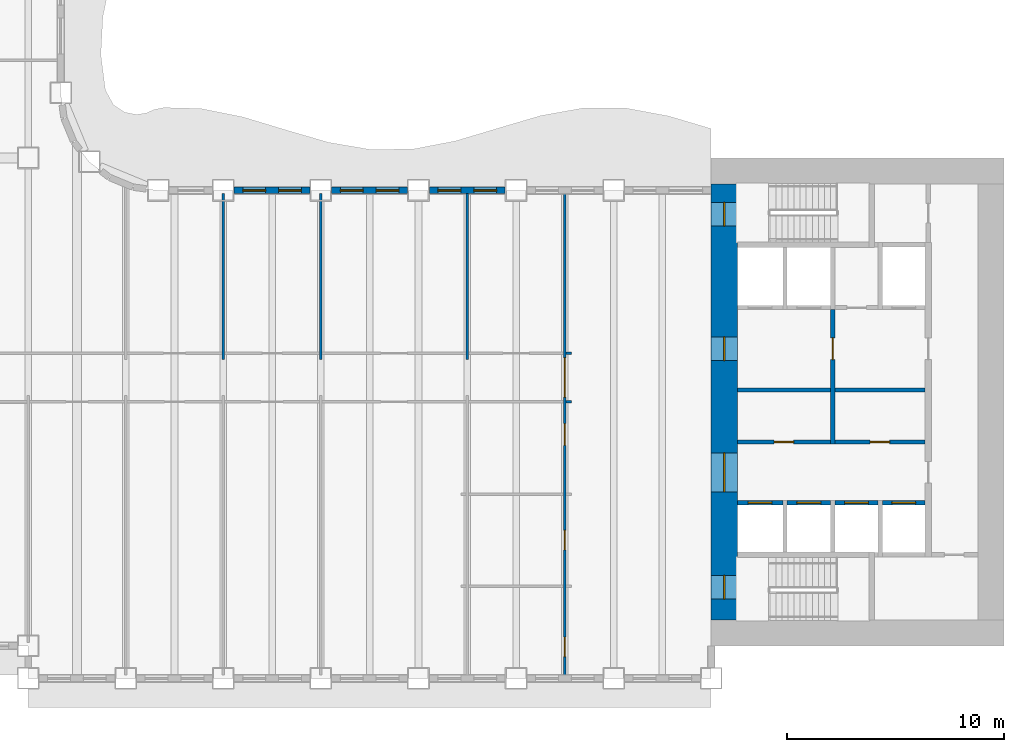
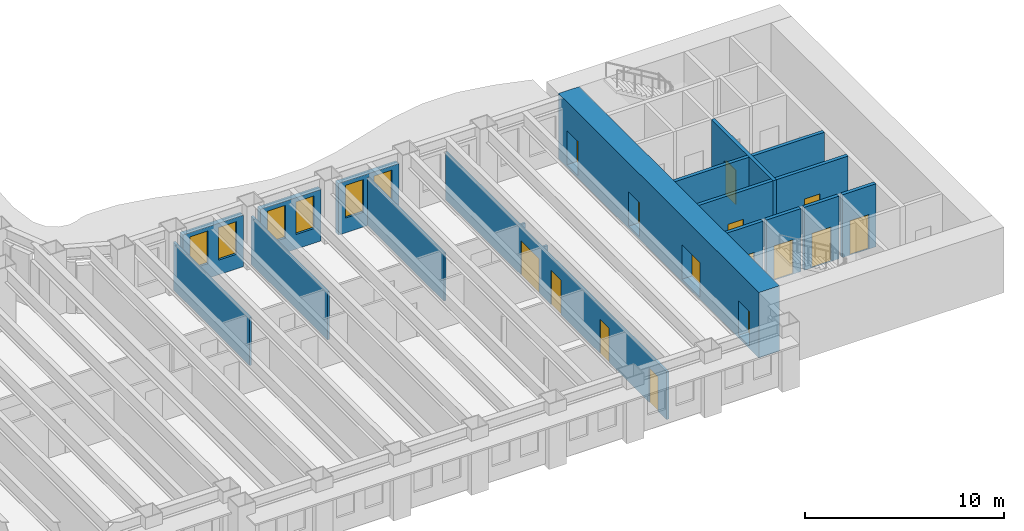
# One storey, part 6 of 16: 19 walls, 15 doors, 6 windows, 21 openings.
"""IFC4 building model written with IfcOpenShell, lengths in metres."""

from ifc_helpers import new_model, si_unit, direction, frame, frame_2d, origin, place, context, subcontext, project, spatial, rectangle, extrude, material, layer, layer_set, type_object, element, fill, save


model = new_model("IFC4")

# Units and contexts
model_context = context("Model", 3, precision=1e-05, world=origin(), true_north=direction((0.0, 1.0)))
body_context = subcontext(model_context, "Body", "Model", "MODEL_VIEW")
ifc_project = project(units=[si_unit("LENGTHUNIT", "METRE"), si_unit("AREAUNIT", "SQUARE_METRE"), si_unit("VOLUMEUNIT", "CUBIC_METRE"), si_unit("PLANEANGLEUNIT", "RADIAN"), si_unit("MASSUNIT", "GRAM", prefix="KILO")], contexts=[model_context])

# Site, building, storey
site_placement = place(None, origin())
site = spatial("IfcSite", under=ifc_project, at=site_placement, CompositionType="ELEMENT")
building_placement = place(site_placement, origin())
building = spatial("IfcBuilding", under=site, at=building_placement, Name="Sennacour Bend Tower", CompositionType="ELEMENT")
storey_placement = place(building_placement, frame((0.0, 0.0, 91.0)))
storey = spatial("IfcBuildingStorey", under=building, at=storey_placement, Name="L20", CompositionType="ELEMENT", Elevation=91.0)

# Wall, openings, doors
ifc_material_1 = material(Name="Concrete C80/95", Category="concrete")
ifc_layer_1 = layer(ifc_material_1, 1.199951171875, Name="Concrete C80/95", Category="concrete")
ifc_layer_set_1 = layer_set([ifc_layer_1], Name="Concrete C80/95")
wall_type_1 = type_object("IfcWallType", Name="Core wall 1200 C80/95", PredefinedType="SHEAR", material=ifc_layer_set_1)
wall_1_placement = place(storey_placement, frame((54.60009765625, 1.199951171875, -0.14990234375), z_axis=(0.0, 0.0, 1.0), x_axis=(0.0, 1.0, 0.0)))
wall_1 = element("IfcWall", 1, at=wall_1_placement, inside=storey, type_object=wall_type_1, Name="Core A wall L20 W", PredefinedType="SHEAR", context=body_context, shape_type="SweptSolid", body=[
    extrude(rectangle(XDim=20.10009765625, YDim=1.199951171875, at=frame_2d((10.050048828125, 0.0))), origin(), (0.0, 0.0, 1.0), 4.0),
])
opening_1_placement = place(wall_1_placement, frame((5.89990234375, 0.0, 0.14990234375)))
opening_1 = element("IfcOpeningElement", 2, at=opening_1_placement, cuts=wall_1, Name="Opening CD", PredefinedType="OPENING", context=body_context, shape_type="SweptSolid", body=[
    extrude(rectangle(XDim=1.800048828125, YDim=2.10009765625, at=frame_2d((0.89990234375, 1.050048828125))), frame((0.0, 0.60986328125, 0.0), z_axis=(0.0, -1.0, 0.0), x_axis=(1.0, 0.0, 0.0)), (0.0, 0.0, 1.0), 1.219970703125),
])
opening_2_placement = place(wall_1_placement, frame((11.949951171875, 0.0, 0.14990234375)))
opening_2 = element("IfcOpeningElement", 3, at=opening_2_placement, cuts=wall_1, Name="Opening FD", PredefinedType="OPENING", context=body_context, shape_type="SweptSolid", body=[
    extrude(rectangle(XDim=1.10009765625, YDim=2.10009765625, at=frame_2d((0.550048828125, 1.050048828125))), frame((0.0, 0.60986328125, 0.0), z_axis=(0.0, -1.0, 0.0), x_axis=(1.0, 0.0, 0.0)), (0.0, 0.0, 1.0), 1.219970703125),
])
opening_3_placement = place(wall_1_placement, frame((0.949951171875, 0.0, 0.14990234375)))
opening_3 = element("IfcOpeningElement", 4, at=opening_3_placement, cuts=wall_1, Name="Opening SD", PredefinedType="OPENING", context=body_context, shape_type="SweptSolid", body=[
    extrude(rectangle(XDim=1.10009765625, YDim=2.10009765625, at=frame_2d((0.550048828125, 1.050048828125))), frame((0.0, 0.60986328125, 0.0), z_axis=(0.0, -1.0, 0.0), x_axis=(1.0, 0.0, 0.0)), (0.0, 0.0, 1.0), 1.219970703125),
])
opening_4_placement = place(wall_1_placement, frame((18.14990234375, 0.0, 0.14990234375)))
opening_4 = element("IfcOpeningElement", 5, at=opening_4_placement, cuts=wall_1, Name="Opening SD", PredefinedType="OPENING", context=body_context, shape_type="SweptSolid", body=[
    extrude(rectangle(XDim=1.10009765625, YDim=2.10009765625, at=frame_2d((0.550048828125, 1.050048828125))), frame((0.0, 0.60986328125, 0.0), z_axis=(0.0, -1.0, 0.0), x_axis=(1.0, 0.0, 0.0)), (0.0, 0.0, 1.0), 1.219970703125),
])
ifc_material_2 = material(Name="Painted steel", Category="steel")
door_type_1 = type_object("IfcDoorType", Name="DR-FFL-1100", OperationType="NOTDEFINED", PredefinedType="DOOR", material=ifc_material_2)
door_1_placement = place(opening_2_placement, origin())
door_1 = element("IfcDoor", 6, at=door_1_placement, inside=storey, type_object=door_type_1, Name="Door", OperationType="SINGLE_SWING_RIGHT", OverallHeight=2.10009765625, OverallWidth=1.10009765625, PredefinedType="DOOR", context=body_context, shape_type="SweptSolid", body=[
    extrude(rectangle(XDim=1.10009765625, YDim=2.10009765625, at=frame_2d((0.550048828125, 1.050048828125))), frame((0.0, 0.02490234375, 0.0), z_axis=(0.0, -1.0, 0.0), x_axis=(1.0, 0.0, 0.0)), (0.0, 0.0, 1.0), 0.050048828125),
])
fill(opening_2, door_1)
door_type_2 = type_object("IfcDoorType", Name="DR-LOBBY-1800", OperationType="NOTDEFINED", PredefinedType="DOOR", material=ifc_material_2)
door_2_placement = place(opening_1_placement, origin())
door_2 = element("IfcDoor", 7, at=door_2_placement, inside=storey, type_object=door_type_2, Name="Door", OperationType="DOUBLE_DOOR_SINGLE_SWING", OverallHeight=2.10009765625, OverallWidth=1.800048828125, PredefinedType="DOOR", context=body_context, shape_type="SweptSolid", body=[
    extrude(rectangle(XDim=1.800048828125, YDim=2.10009765625, at=frame_2d((0.89990234375, 1.050048828125))), frame((0.0, 0.02490234375, 0.0), z_axis=(0.0, -1.0, 0.0), x_axis=(1.0, 0.0, 0.0)), (0.0, 0.0, 1.0), 0.050048828125),
])
fill(opening_1, door_2)
door_type_3 = type_object("IfcDoorType", Name="DR-STAIR-1100", OperationType="NOTDEFINED", PredefinedType="DOOR", material=ifc_material_2)
door_3_placement = place(opening_3_placement, origin())
door_3 = element("IfcDoor", 8, at=door_3_placement, inside=storey, type_object=door_type_3, Name="Door", OperationType="SINGLE_SWING_LEFT", OverallHeight=2.10009765625, OverallWidth=1.10009765625, PredefinedType="DOOR", context=body_context, shape_type="SweptSolid", body=[
    extrude(rectangle(XDim=1.10009765625, YDim=2.10009765625, at=frame_2d((0.550048828125, 1.050048828125))), frame((0.0, 0.02490234375, 0.0), z_axis=(0.0, -1.0, 0.0), x_axis=(1.0, 0.0, 0.0)), (0.0, 0.0, 1.0), 0.050048828125),
])
fill(opening_3, door_3)
door_4_placement = place(opening_4_placement, origin())
door_4 = element("IfcDoor", 9, at=door_4_placement, inside=storey, type_object=door_type_3, Name="Door", OperationType="SINGLE_SWING_RIGHT", OverallHeight=2.10009765625, OverallWidth=1.10009765625, PredefinedType="DOOR", context=body_context, shape_type="SweptSolid", body=[
    extrude(rectangle(XDim=1.10009765625, YDim=2.10009765625, at=frame_2d((0.550048828125, 1.050048828125))), frame((0.0, 0.02490234375, 0.0), z_axis=(0.0, -1.0, 0.0), x_axis=(1.0, 0.0, 0.0)), (0.0, 0.0, 1.0), 0.050048828125),
])
fill(opening_4, door_4)

# Walls
ifc_material_3 = material(Name="Plasterboard partition on steel studs", Category="steel")
ifc_layer_2 = layer(ifc_material_3, 0.1201171875, Name="Plasterboard partition on steel studs", Category="steel")
ifc_layer_set_2 = layer_set([ifc_layer_2], Name="Plasterboard partition on steel studs")
wall_type_2 = type_object("IfcWallType", Name="Partition 120", PredefinedType="PARTITIONING", material=ifc_layer_set_2)
for number, where, z_axis, x_axis, name in (
    (10, (31.5, 13.199951171875, 0.0), (0.0, 0.0, 1.0), (0.0, 1.0, 0.0), "P-L20-W029a"),
    (11, (36.0, 13.199951171875, 0.0), (0.0, 0.0, 1.0), (0.0, 1.0, 0.0), "P-L20-W031a"),
    (12, (42.75, 13.199951171875, 0.0), (0.0, 0.0, 1.0), (0.0, 1.0, 0.0), "P-L20-W033a"),
):
    element("IfcWall", number, at=place(storey_placement, frame(where, z_axis=z_axis, x_axis=x_axis)), inside=storey, type_object=wall_type_2, Name=name, PredefinedType="PARTITIONING", context=body_context, shape_type="SweptSolid", body=[
        extrude(rectangle(XDim=7.650146484375, YDim=0.1201171875, at=frame_2d((3.8251953125, 0.0))), origin(), (0.0, 0.0, 1.0), 2.93798828125),
    ])
for number, where, z_axis, x_axis, name in (
    (13, (47.31005859375, 11.25, 0.0), (0.0, 0.0, 1.0), (1.0, 0.0, 0.0), "P-L20-W058ai"),
    (14, (47.31005859375, 13.5, 0.0), (0.0, 0.0, 1.0), (1.0, 0.0, 0.0), "P-L20-W060ah"),
):
    element("IfcWall", number, at=place(storey_placement, frame(where, z_axis=z_axis, x_axis=x_axis)), inside=storey, type_object=wall_type_2, Name=name, PredefinedType="PARTITIONING", context=body_context, shape_type="SweptSolid", body=[
        extrude(rectangle(XDim=0.239990234375, YDim=0.1201171875, at=frame_2d((0.1201171875, 0.0))), origin(), (0.0, 0.0, 1.0), 2.93798828125),
    ])

# Wall, openings, doors
ifc_layer_3 = layer(ifc_material_3, 0.1201171875, Name="Plasterboard partition on steel studs", Category="steel")
ifc_layer_set_3 = layer_set([ifc_layer_3], Name="Plasterboard partition on steel studs")
wall_type_3 = type_object("IfcWallType", Name="Partition 120 EI 30", PredefinedType="PARTITIONING", material=ifc_layer_set_3)
wall_2_placement = place(storey_placement, frame((47.25, -1.35009765625, 0.0), z_axis=(0.0, 0.0, 1.0), x_axis=(0.0, 1.0, 0.0)))
wall_2 = element("IfcWall", 15, at=wall_2_placement, inside=storey, type_object=wall_type_3, Name="P-L20-W034a", PredefinedType="PARTITIONING", context=body_context, shape_type="SweptSolid", body=[
    extrude(rectangle(XDim=22.2001953125, YDim=0.1201171875, at=frame_2d((11.10009765625, 0.0))), origin(), (0.0, 0.0, 1.0), 2.93798828125),
])
opening_5_placement = place(wall_2_placement, frame((12.8251953125, 0.0, 0.0)))
opening_5 = element("IfcOpeningElement", 16, at=opening_5_placement, cuts=wall_2, Name="Opening KD3", PredefinedType="OPENING", context=body_context, shape_type="SweptSolid", body=[
    extrude(rectangle(XDim=1.800048828125, YDim=2.10009765625, at=frame_2d((0.89990234375, 1.050048828125))), frame((0.0, 0.070068359375, 0.0), z_axis=(0.0, -1.0, 0.0), x_axis=(1.0, 0.0, 0.0)), (0.0, 0.0, 1.0), 0.14013671875),
])
opening_6_placement = place(wall_2_placement, frame((0.85009765625, 0.0, 0.0)))
opening_6 = element("IfcOpeningElement", 17, at=opening_6_placement, cuts=wall_2, Name="Opening WD", PredefinedType="OPENING", context=body_context, shape_type="SweptSolid", body=[
    extrude(rectangle(XDim=0.89990234375, YDim=2.10009765625, at=frame_2d((0.449951171875, 1.050048828125))), frame((0.0, 0.070068359375, 0.0), z_axis=(0.0, -1.0, 0.0), x_axis=(1.0, 0.0, 0.0)), (0.0, 0.0, 1.0), 0.14013671875),
])
opening_7_placement = place(wall_2_placement, frame((5.775146484375, 0.0, 0.0)))
opening_7 = element("IfcOpeningElement", 18, at=opening_7_placement, cuts=wall_2, Name="Opening WD", PredefinedType="OPENING", context=body_context, shape_type="SweptSolid", body=[
    extrude(rectangle(XDim=0.89990234375, YDim=2.10009765625, at=frame_2d((0.449951171875, 1.050048828125))), frame((0.0, 0.070068359375, 0.0), z_axis=(0.0, -1.0, 0.0), x_axis=(1.0, 0.0, 0.0)), (0.0, 0.0, 1.0), 0.14013671875),
])
opening_8_placement = place(wall_2_placement, frame((10.60009765625, 0.0, 0.0)))
opening_8 = element("IfcOpeningElement", 19, at=opening_8_placement, cuts=wall_2, Name="Opening AD", PredefinedType="OPENING", context=body_context, shape_type="SweptSolid", body=[
    extrude(rectangle(XDim=1.0, YDim=2.10009765625, at=frame_2d((0.5, 1.050048828125))), frame((0.0, 0.070068359375, 0.0), z_axis=(0.0, -1.0, 0.0), x_axis=(1.0, 0.0, 0.0)), (0.0, 0.0, 1.0), 0.14013671875),
])
ifc_material_4 = material(Name="Timber", Category="wood")
door_type_4 = type_object("IfcDoorType", Name="DR-ACC-WC-1000", OperationType="NOTDEFINED", PredefinedType="DOOR", material=ifc_material_4)
door_5_placement = place(opening_8_placement, origin())
door_5 = element("IfcDoor", 20, at=door_5_placement, inside=storey, type_object=door_type_4, Name="Door", OperationType="SINGLE_SWING_RIGHT", OverallHeight=2.10009765625, OverallWidth=1.0, PredefinedType="DOOR", context=body_context, shape_type="SweptSolid", body=[
    extrude(rectangle(XDim=1.0, YDim=2.10009765625, at=frame_2d((0.5, 1.050048828125))), frame((0.0, 0.02490234375, 0.0), z_axis=(0.0, -1.0, 0.0), x_axis=(1.0, 0.0, 0.0)), (0.0, 0.0, 1.0), 0.050048828125),
])
fill(opening_8, door_5)
door_type_5 = type_object("IfcDoorType", Name="DR-CORRIDOR-1800", OperationType="NOTDEFINED", PredefinedType="DOOR", material=ifc_material_2)
door_6_placement = place(opening_5_placement, origin())
door_6 = element("IfcDoor", 21, at=door_6_placement, inside=storey, type_object=door_type_5, Name="Door", OperationType="DOUBLE_DOOR_SINGLE_SWING", OverallHeight=2.10009765625, OverallWidth=1.800048828125, PredefinedType="DOOR", context=body_context, shape_type="SweptSolid", body=[
    extrude(rectangle(XDim=1.800048828125, YDim=2.10009765625, at=frame_2d((0.89990234375, 1.050048828125))), frame((0.0, 0.02490234375, 0.0), z_axis=(0.0, -1.0, 0.0), x_axis=(1.0, 0.0, 0.0)), (0.0, 0.0, 1.0), 0.050048828125),
])
fill(opening_5, door_6)
door_type_6 = type_object("IfcDoorType", Name="DR-WC-900", OperationType="NOTDEFINED", PredefinedType="DOOR", material=ifc_material_4)
door_7_placement = place(opening_6_placement, origin())
door_7 = element("IfcDoor", 22, at=door_7_placement, inside=storey, type_object=door_type_6, Name="Door", OperationType="SINGLE_SWING_LEFT", OverallHeight=2.10009765625, OverallWidth=0.89990234375, PredefinedType="DOOR", context=body_context, shape_type="SweptSolid", body=[
    extrude(rectangle(XDim=0.89990234375, YDim=2.10009765625, at=frame_2d((0.449951171875, 1.050048828125))), frame((0.0, 0.02490234375, 0.0), z_axis=(0.0, -1.0, 0.0), x_axis=(1.0, 0.0, 0.0)), (0.0, 0.0, 1.0), 0.050048828125),
])
fill(opening_6, door_7)
door_8_placement = place(opening_7_placement, origin())
door_8 = element("IfcDoor", 23, at=door_8_placement, inside=storey, type_object=door_type_6, Name="Door", OperationType="SINGLE_SWING_LEFT", OverallHeight=2.10009765625, OverallWidth=0.89990234375, PredefinedType="DOOR", context=body_context, shape_type="SweptSolid", body=[
    extrude(rectangle(XDim=0.89990234375, YDim=2.10009765625, at=frame_2d((0.449951171875, 1.050048828125))), frame((0.0, 0.02490234375, 0.0), z_axis=(0.0, -1.0, 0.0), x_axis=(1.0, 0.0, 0.0)), (0.0, 0.0, 1.0), 0.050048828125),
])
fill(opening_7, door_8)

# Wall, opening, door
ifc_material_5 = material(Name="Fire-rated plasterboard partition on steel studs", Category="steel")
ifc_layer_4 = layer(ifc_material_5, 0.199951171875, Name="Fire-rated plasterboard partition on steel studs", Category="steel")
ifc_layer_set_4 = layer_set([ifc_layer_4], Name="Fire-rated plasterboard partition on steel studs")
wall_type_4 = type_object("IfcWallType", Name="Rated partition 200", PredefinedType="PARTITIONING", material=ifc_layer_set_4)
wall_3_placement = place(storey_placement, frame((55.199951171875, 9.39990234375, 0.0), z_axis=(0.0, 0.0, 1.0), x_axis=(1.0, 0.0, 0.0)))
wall_3 = element("IfcWall", 24, at=wall_3_placement, inside=storey, type_object=wall_type_4, Name="P-L20-W057a", PredefinedType="PARTITIONING", context=body_context, shape_type="SweptSolid", body=[
    extrude(rectangle(XDim=4.300048828125, YDim=0.199951171875, at=frame_2d((2.14990234375, 0.0))), origin(), (0.0, 0.0, 1.0), 3.85009765625),
])
opening_9_placement = place(wall_3_placement, frame((1.699951171875, 0.0, 0.0)))
opening_9 = element("IfcOpeningElement", 25, at=opening_9_placement, cuts=wall_3, Name="Opening SV", PredefinedType="OPENING", context=body_context, shape_type="SweptSolid", body=[
    extrude(rectangle(XDim=0.89990234375, YDim=2.10009765625, at=frame_2d((0.449951171875, 1.050048828125))), frame((0.0, 0.10986328125, 0.0), z_axis=(0.0, -1.0, 0.0), x_axis=(1.0, 0.0, 0.0)), (0.0, 0.0, 1.0), 0.219970703125),
])
door_type_7 = type_object("IfcDoorType", Name="DR-SERVICE-900", OperationType="NOTDEFINED", PredefinedType="DOOR", material=ifc_material_2)
door_9_placement = place(opening_9_placement, origin())
door_9 = element("IfcDoor", 26, at=door_9_placement, inside=storey, type_object=door_type_7, Name="Door", OperationType="SINGLE_SWING_LEFT", OverallHeight=2.10009765625, OverallWidth=0.89990234375, PredefinedType="DOOR", context=body_context, shape_type="SweptSolid", body=[
    extrude(rectangle(XDim=0.89990234375, YDim=2.10009765625, at=frame_2d((0.449951171875, 1.050048828125))), frame((0.0, 0.02490234375, 0.0), z_axis=(0.0, -1.0, 0.0), x_axis=(1.0, 0.0, 0.0)), (0.0, 0.0, 1.0), 0.050048828125),
])
fill(opening_9, door_9)

wall_4_placement = place(storey_placement, frame((59.699951171875, 9.39990234375, 0.0), z_axis=(0.0, 0.0, 1.0), x_axis=(1.0, 0.0, 0.0)))
wall_4 = element("IfcWall", 27, at=wall_4_placement, inside=storey, type_object=wall_type_4, Name="P-L20-W057b", PredefinedType="PARTITIONING", context=body_context, shape_type="SweptSolid", body=[
    extrude(rectangle(XDim=4.150146484375, YDim=0.199951171875, at=frame_2d((2.0751953125, 0.0))), origin(), (0.0, 0.0, 1.0), 3.85009765625),
])
opening_10_placement = place(wall_4_placement, frame((1.625, 0.0, 0.0)))
opening_10 = element("IfcOpeningElement", 28, at=opening_10_placement, cuts=wall_4, Name="Opening SV", PredefinedType="OPENING", context=body_context, shape_type="SweptSolid", body=[
    extrude(rectangle(XDim=0.89990234375, YDim=2.10009765625, at=frame_2d((0.449951171875, 1.050048828125))), frame((0.0, 0.10986328125, 0.0), z_axis=(0.0, -1.0, 0.0), x_axis=(1.0, 0.0, 0.0)), (0.0, 0.0, 1.0), 0.219970703125),
])
door_10_placement = place(opening_10_placement, origin())
door_10 = element("IfcDoor", 29, at=door_10_placement, inside=storey, type_object=door_type_7, Name="Door", OperationType="SINGLE_SWING_LEFT", OverallHeight=2.10009765625, OverallWidth=0.89990234375, PredefinedType="DOOR", context=body_context, shape_type="SweptSolid", body=[
    extrude(rectangle(XDim=0.89990234375, YDim=2.10009765625, at=frame_2d((0.449951171875, 1.050048828125))), frame((0.0, 0.02490234375, 0.0), z_axis=(0.0, -1.0, 0.0), x_axis=(1.0, 0.0, 0.0)), (0.0, 0.0, 1.0), 0.050048828125),
])
fill(opening_10, door_10)

# Walls
wall_5_placement = place(storey_placement, frame((55.199951171875, 11.800048828125, 0.0), z_axis=(0.0, 0.0, 1.0), x_axis=(1.0, 0.0, 0.0)))
element("IfcWall", 30, at=wall_5_placement, inside=storey, type_object=wall_type_4, Name="P-L20-W059a", PredefinedType="PARTITIONING", context=body_context, shape_type="SweptSolid", body=[
    extrude(rectangle(XDim=4.300048828125, YDim=0.199951171875, at=frame_2d((2.14990234375, 0.0))), origin(), (0.0, 0.0, 1.0), 3.85009765625),
])
wall_6_placement = place(storey_placement, frame((59.699951171875, 11.800048828125, 0.0), z_axis=(0.0, 0.0, 1.0), x_axis=(1.0, 0.0, 0.0)))
element("IfcWall", 31, at=wall_6_placement, inside=storey, type_object=wall_type_4, Name="P-L20-W059b", PredefinedType="PARTITIONING", context=body_context, shape_type="SweptSolid", body=[
    extrude(rectangle(XDim=4.150146484375, YDim=0.199951171875, at=frame_2d((2.0751953125, 0.0))), origin(), (0.0, 0.0, 1.0), 3.85009765625),
])

# Wall, opening, door
ifc_layer_5 = layer(ifc_material_5, 0.199951171875, Name="Fire-rated plasterboard partition on steel studs", Category="steel")
ifc_layer_set_5 = layer_set([ifc_layer_5], Name="Fire-rated plasterboard partition on steel studs")
wall_type_5 = type_object("IfcWallType", Name="Rated partition 200 EI 90", PredefinedType="PARTITIONING", material=ifc_layer_set_5)
wall_7_placement = place(storey_placement, frame((59.60009765625, 9.300048828125, 0.0), z_axis=(0.0, 0.0, 1.0), x_axis=(0.0, 1.0, 0.0)))
wall_7 = element("IfcWall", 32, at=wall_7_placement, inside=storey, type_object=wall_type_5, Name="P-L20-W039", PredefinedType="PARTITIONING", context=body_context, shape_type="SweptSolid", body=[
    extrude(rectangle(XDim=6.199951171875, YDim=0.199951171875, at=frame_2d((3.10009765625, 0.0))), origin(), (0.0, 0.0, 1.0), 3.85009765625),
])
opening_11_placement = place(wall_7_placement, frame((3.89990234375, 0.0, 0.0)))
opening_11 = element("IfcOpeningElement", 33, at=opening_11_placement, cuts=wall_7, Name="Opening FD2", PredefinedType="OPENING", context=body_context, shape_type="SweptSolid", body=[
    extrude(rectangle(XDim=1.0, YDim=2.10009765625, at=frame_2d((0.5, 1.050048828125))), frame((0.0, 0.10986328125, 0.0), z_axis=(0.0, -1.0, 0.0), x_axis=(1.0, 0.0, 0.0)), (0.0, 0.0, 1.0), 0.219970703125),
])
door_type_8 = type_object("IfcDoorType", Name="DR-FFL-1000", OperationType="NOTDEFINED", PredefinedType="DOOR", material=ifc_material_2)
door_11_placement = place(opening_11_placement, origin())
door_11 = element("IfcDoor", 34, at=door_11_placement, inside=storey, type_object=door_type_8, Name="Door", OperationType="SINGLE_SWING_RIGHT", OverallHeight=2.10009765625, OverallWidth=1.0, PredefinedType="DOOR", context=body_context, shape_type="SweptSolid", body=[
    extrude(rectangle(XDim=1.0, YDim=2.10009765625, at=frame_2d((0.5, 1.050048828125))), frame((0.0, 0.02490234375, 0.0), z_axis=(0.0, -1.0, 0.0), x_axis=(1.0, 0.0, 0.0)), (0.0, 0.0, 1.0), 0.050048828125),
])
fill(opening_11, door_11)

# Wall, openings, windows
ifc_material_6 = material(Name="Warm limestone cladding", Category="masonry")
ifc_layer_6 = layer(ifc_material_6, 0.050048828125, Name="Warm limestone cladding", Category="masonry")
ifc_material_7 = material(Name="Precast concrete C40/50", Category="concrete")
ifc_layer_7 = layer(ifc_material_7, 0.25, Name="Precast concrete C40/50", Category="concrete")
ifc_layer_set_6 = layer_set([ifc_layer_6, ifc_layer_7], Name="Precast concrete C40/50 with limestone cladding")
wall_type_6 = type_object("IfcWallType", Name="STONE-CLAD PRECAST SPANDREL 300", PredefinedType="STANDARD", material=ifc_layer_set_6)
wall_8_placement = place(storey_placement, frame((44.5, 21.0, 0.0), z_axis=(0.0, 0.0, 1.0), x_axis=(-1.0, 0.0, 0.0)))
wall_8 = element("IfcWall", 35, at=wall_8_placement, inside=storey, type_object=wall_type_6, Name="Stone spandrel and pier wall L20 06.02", PredefinedType="STANDARD", context=body_context, shape_type="SweptSolid", body=[
    extrude(rectangle(XDim=3.5, YDim=0.300048828125, at=frame_2d((1.75, 0.0))), origin(), (0.0, 0.0, 1.0), 3.154052734375),
])
opening_12_placement = place(wall_8_placement, frame((0.39990234375, 0.0, 0.89990234375)))
opening_12 = element("IfcOpeningElement", 36, at=opening_12_placement, cuts=wall_8, Name="Opening W13", PredefinedType="OPENING", context=body_context, shape_type="SweptSolid", body=[
    extrude(rectangle(XDim=1.050048828125, YDim=2.0, at=frame_2d((0.52490234375, 1.0))), frame((0.0, 0.16015625, 0.0), z_axis=(0.0, -1.0, 0.0), x_axis=(1.0, 0.0, 0.0)), (0.0, 0.0, 1.0), 0.320068359375),
])
opening_13_placement = place(wall_8_placement, frame((2.050048828125, 0.0, 0.89990234375)))
opening_13 = element("IfcOpeningElement", 37, at=opening_13_placement, cuts=wall_8, Name="Opening W13", PredefinedType="OPENING", context=body_context, shape_type="SweptSolid", body=[
    extrude(rectangle(XDim=1.050048828125, YDim=2.0, at=frame_2d((0.52490234375, 1.0))), frame((0.0, 0.16015625, 0.0), z_axis=(0.0, -1.0, 0.0), x_axis=(1.0, 0.0, 0.0)), (0.0, 0.0, 1.0), 0.320068359375),
])
ifc_material_8 = material(Name="Clear low-emissivity glass", Category="glass")
window_type = type_object("IfcWindowType", Name="WIN-RIBBON-1050x2000", PartitioningType="SINGLE_PANEL", PredefinedType="WINDOW", material=ifc_material_8)
window_1_placement = place(opening_12_placement, origin())
window_1 = element("IfcWindow", 38, at=window_1_placement, inside=storey, type_object=window_type, Name="Ribbon window L20 06.02.0", OverallHeight=2.0, OverallWidth=1.050048828125, PartitioningType="SINGLE_PANEL", PredefinedType="WINDOW", context=body_context, shape_type="SweptSolid", body=[
    extrude(rectangle(XDim=1.050048828125, YDim=2.0, at=frame_2d((0.52490234375, 1.0))), frame((0.0, 0.030029296875, 0.0), z_axis=(0.0, -1.0, 0.0), x_axis=(1.0, 0.0, 0.0)), (0.0, 0.0, 1.0), 0.06005859375),
])
fill(opening_12, window_1)
window_2_placement = place(opening_13_placement, origin())
window_2 = element("IfcWindow", 39, at=window_2_placement, inside=storey, type_object=window_type, Name="Ribbon window L20 06.02.1", OverallHeight=2.0, OverallWidth=1.050048828125, PartitioningType="SINGLE_PANEL", PredefinedType="WINDOW", context=body_context, shape_type="SweptSolid", body=[
    extrude(rectangle(XDim=1.050048828125, YDim=2.0, at=frame_2d((0.52490234375, 1.0))), frame((0.0, 0.030029296875, 0.0), z_axis=(0.0, -1.0, 0.0), x_axis=(1.0, 0.0, 0.0)), (0.0, 0.0, 1.0), 0.06005859375),
])
fill(opening_13, window_2)

wall_9_placement = place(storey_placement, frame((40.0, 21.0, 0.0), z_axis=(0.0, 0.0, 1.0), x_axis=(-1.0, 0.0, 0.0)))
wall_9 = element("IfcWall", 40, at=wall_9_placement, inside=storey, type_object=wall_type_6, Name="Stone spandrel and pier wall L20 06.03", PredefinedType="STANDARD", context=body_context, shape_type="SweptSolid", body=[
    extrude(rectangle(XDim=3.5, YDim=0.300048828125, at=frame_2d((1.75, 0.0))), origin(), (0.0, 0.0, 1.0), 3.154052734375),
])
opening_14_placement = place(wall_9_placement, frame((0.39990234375, 0.0, 0.89990234375)))
opening_14 = element("IfcOpeningElement", 41, at=opening_14_placement, cuts=wall_9, Name="Opening W13", PredefinedType="OPENING", context=body_context, shape_type="SweptSolid", body=[
    extrude(rectangle(XDim=1.050048828125, YDim=2.0, at=frame_2d((0.52490234375, 1.0))), frame((0.0, 0.16015625, 0.0), z_axis=(0.0, -1.0, 0.0), x_axis=(1.0, 0.0, 0.0)), (0.0, 0.0, 1.0), 0.320068359375),
])
opening_15_placement = place(wall_9_placement, frame((2.050048828125, 0.0, 0.89990234375)))
opening_15 = element("IfcOpeningElement", 42, at=opening_15_placement, cuts=wall_9, Name="Opening W13", PredefinedType="OPENING", context=body_context, shape_type="SweptSolid", body=[
    extrude(rectangle(XDim=1.050048828125, YDim=2.0, at=frame_2d((0.52490234375, 1.0))), frame((0.0, 0.16015625, 0.0), z_axis=(0.0, -1.0, 0.0), x_axis=(1.0, 0.0, 0.0)), (0.0, 0.0, 1.0), 0.320068359375),
])
window_3_placement = place(opening_14_placement, origin())
window_3 = element("IfcWindow", 43, at=window_3_placement, inside=storey, type_object=window_type, Name="Ribbon window L20 06.03.0", OverallHeight=2.0, OverallWidth=1.050048828125, PartitioningType="SINGLE_PANEL", PredefinedType="WINDOW", context=body_context, shape_type="SweptSolid", body=[
    extrude(rectangle(XDim=1.050048828125, YDim=2.0, at=frame_2d((0.52490234375, 1.0))), frame((0.0, 0.030029296875, 0.0), z_axis=(0.0, -1.0, 0.0), x_axis=(1.0, 0.0, 0.0)), (0.0, 0.0, 1.0), 0.06005859375),
])
fill(opening_14, window_3)
window_4_placement = place(opening_15_placement, origin())
window_4 = element("IfcWindow", 44, at=window_4_placement, inside=storey, type_object=window_type, Name="Ribbon window L20 06.03.1", OverallHeight=2.0, OverallWidth=1.050048828125, PartitioningType="SINGLE_PANEL", PredefinedType="WINDOW", context=body_context, shape_type="SweptSolid", body=[
    extrude(rectangle(XDim=1.050048828125, YDim=2.0, at=frame_2d((0.52490234375, 1.0))), frame((0.0, 0.030029296875, 0.0), z_axis=(0.0, -1.0, 0.0), x_axis=(1.0, 0.0, 0.0)), (0.0, 0.0, 1.0), 0.06005859375),
])
fill(opening_15, window_4)

wall_10_placement = place(storey_placement, frame((35.5, 21.0, 0.0), z_axis=(0.0, 0.0, 1.0), x_axis=(-1.0, 0.0, 0.0)))
wall_10 = element("IfcWall", 45, at=wall_10_placement, inside=storey, type_object=wall_type_6, Name="Stone spandrel and pier wall L20 06.04", PredefinedType="STANDARD", context=body_context, shape_type="SweptSolid", body=[
    extrude(rectangle(XDim=3.5, YDim=0.300048828125, at=frame_2d((1.75, 0.0))), origin(), (0.0, 0.0, 1.0), 3.154052734375),
])
opening_16_placement = place(wall_10_placement, frame((0.39990234375, 0.0, 0.89990234375)))
opening_16 = element("IfcOpeningElement", 46, at=opening_16_placement, cuts=wall_10, Name="Opening W13", PredefinedType="OPENING", context=body_context, shape_type="SweptSolid", body=[
    extrude(rectangle(XDim=1.050048828125, YDim=2.0, at=frame_2d((0.52490234375, 1.0))), frame((0.0, 0.16015625, 0.0), z_axis=(0.0, -1.0, 0.0), x_axis=(1.0, 0.0, 0.0)), (0.0, 0.0, 1.0), 0.320068359375),
])
opening_17_placement = place(wall_10_placement, frame((2.050048828125, 0.0, 0.89990234375)))
opening_17 = element("IfcOpeningElement", 47, at=opening_17_placement, cuts=wall_10, Name="Opening W13", PredefinedType="OPENING", context=body_context, shape_type="SweptSolid", body=[
    extrude(rectangle(XDim=1.050048828125, YDim=2.0, at=frame_2d((0.52490234375, 1.0))), frame((0.0, 0.16015625, 0.0), z_axis=(0.0, -1.0, 0.0), x_axis=(1.0, 0.0, 0.0)), (0.0, 0.0, 1.0), 0.320068359375),
])
window_5_placement = place(opening_16_placement, origin())
window_5 = element("IfcWindow", 48, at=window_5_placement, inside=storey, type_object=window_type, Name="Ribbon window L20 06.04.0", OverallHeight=2.0, OverallWidth=1.050048828125, PartitioningType="SINGLE_PANEL", PredefinedType="WINDOW", context=body_context, shape_type="SweptSolid", body=[
    extrude(rectangle(XDim=1.050048828125, YDim=2.0, at=frame_2d((0.52490234375, 1.0))), frame((0.0, 0.030029296875, 0.0), z_axis=(0.0, -1.0, 0.0), x_axis=(1.0, 0.0, 0.0)), (0.0, 0.0, 1.0), 0.06005859375),
])
fill(opening_16, window_5)
window_6_placement = place(opening_17_placement, origin())
window_6 = element("IfcWindow", 49, at=window_6_placement, inside=storey, type_object=window_type, Name="Ribbon window L20 06.04.1", OverallHeight=2.0, OverallWidth=1.050048828125, PartitioningType="SINGLE_PANEL", PredefinedType="WINDOW", context=body_context, shape_type="SweptSolid", body=[
    extrude(rectangle(XDim=1.050048828125, YDim=2.0, at=frame_2d((0.52490234375, 1.0))), frame((0.0, 0.030029296875, 0.0), z_axis=(0.0, -1.0, 0.0), x_axis=(1.0, 0.0, 0.0)), (0.0, 0.0, 1.0), 0.06005859375),
])
fill(opening_17, window_6)

# Wall, opening, door
ifc_material_9 = material(Name="Concrete C50/60", Category="concrete")
ifc_layer_8 = layer(ifc_material_9, 0.199951171875, Name="Concrete C50/60", Category="concrete")
ifc_layer_set_7 = layer_set([ifc_layer_8], Name="Concrete C50/60")
wall_type_7 = type_object("IfcWallType", Name="Shaft wall 200", PredefinedType="SOLIDWALL", material=ifc_layer_set_7)
wall_11_placement = place(storey_placement, frame((55.199951171875, 6.60009765625, 0.0), z_axis=(0.0, 0.0, 1.0), x_axis=(1.0, 0.0, 0.0)))
wall_11 = element("IfcWall", 50, at=wall_11_placement, inside=storey, type_object=wall_type_7, Name="P-L20-W055a", PredefinedType="SOLIDWALL", context=body_context, shape_type="SweptSolid", body=[
    extrude(rectangle(XDim=2.10009765625, YDim=0.199951171875, at=frame_2d((1.050048828125, 0.0))), origin(), (0.0, 0.0, 1.0), 3.85009765625),
])
opening_18_placement = place(wall_11_placement, frame((0.5, 0.0, 0.011962890625)))
opening_18 = element("IfcOpeningElement", 51, at=opening_18_placement, cuts=wall_11, Name="Opening LD", PredefinedType="OPENING", context=body_context, shape_type="SweptSolid", body=[
    extrude(rectangle(XDim=1.10009765625, YDim=2.10009765625, at=frame_2d((0.550048828125, 1.050048828125))), frame((0.0, 0.10986328125, 0.0), z_axis=(0.0, -1.0, 0.0), x_axis=(1.0, 0.0, 0.0)), (0.0, 0.0, 1.0), 0.219970703125),
])
ifc_material_10 = material(Name="Stainless steel", Category="steel")
door_type_9 = type_object("IfcDoorType", Name="DR-LANDING-1100", OperationType="NOTDEFINED", PredefinedType="DOOR", material=ifc_material_10)
door_12_placement = place(opening_18_placement, origin())
door_12 = element("IfcDoor", 52, at=door_12_placement, inside=storey, type_object=door_type_9, Name="Lift landing door LA1", OperationType="SLIDING_TO_LEFT", OverallHeight=2.10009765625, OverallWidth=1.10009765625, PredefinedType="DOOR", context=body_context, shape_type="SweptSolid", body=[
    extrude(rectangle(XDim=1.10009765625, YDim=2.10009765625, at=frame_2d((0.550048828125, 1.050048828125))), frame((0.0, 0.02490234375, 0.0), z_axis=(0.0, -1.0, 0.0), x_axis=(1.0, 0.0, 0.0)), (0.0, 0.0, 1.0), 0.050048828125),
])
fill(opening_18, door_12)

wall_12_placement = place(storey_placement, frame((57.5, 6.60009765625, 0.0), z_axis=(0.0, 0.0, 1.0), x_axis=(1.0, 0.0, 0.0)))
wall_12 = element("IfcWall", 53, at=wall_12_placement, inside=storey, type_object=wall_type_7, Name="P-L20-W055b", PredefinedType="SOLIDWALL", context=body_context, shape_type="SweptSolid", body=[
    extrude(rectangle(XDim=2.0, YDim=0.199951171875, at=frame_2d((1.0, 0.0))), origin(), (0.0, 0.0, 1.0), 3.85009765625),
])
opening_19_placement = place(wall_12_placement, frame((0.449951171875, 0.0, 0.011962890625)))
opening_19 = element("IfcOpeningElement", 54, at=opening_19_placement, cuts=wall_12, Name="Opening LD", PredefinedType="OPENING", context=body_context, shape_type="SweptSolid", body=[
    extrude(rectangle(XDim=1.10009765625, YDim=2.10009765625, at=frame_2d((0.550048828125, 1.050048828125))), frame((0.0, 0.10986328125, 0.0), z_axis=(0.0, -1.0, 0.0), x_axis=(1.0, 0.0, 0.0)), (0.0, 0.0, 1.0), 0.219970703125),
])
door_13_placement = place(opening_19_placement, origin())
door_13 = element("IfcDoor", 55, at=door_13_placement, inside=storey, type_object=door_type_9, Name="Lift landing door LA2", OperationType="SLIDING_TO_RIGHT", OverallHeight=2.10009765625, OverallWidth=1.10009765625, PredefinedType="DOOR", context=body_context, shape_type="SweptSolid", body=[
    extrude(rectangle(XDim=1.10009765625, YDim=2.10009765625, at=frame_2d((0.550048828125, 1.050048828125))), frame((0.0, 0.02490234375, 0.0), z_axis=(0.0, -1.0, 0.0), x_axis=(1.0, 0.0, 0.0)), (0.0, 0.0, 1.0), 0.050048828125),
])
fill(opening_19, door_13)

wall_13_placement = place(storey_placement, frame((59.699951171875, 6.60009765625, 0.0), z_axis=(0.0, 0.0, 1.0), x_axis=(1.0, 0.0, 0.0)))
wall_13 = element("IfcWall", 56, at=wall_13_placement, inside=storey, type_object=wall_type_7, Name="P-L20-W055c", PredefinedType="SOLIDWALL", context=body_context, shape_type="SweptSolid", body=[
    extrude(rectangle(XDim=2.0, YDim=0.199951171875, at=frame_2d((1.0, 0.0))), origin(), (0.0, 0.0, 1.0), 3.85009765625),
])
opening_20_placement = place(wall_13_placement, frame((0.449951171875, 0.0, 0.011962890625)))
opening_20 = element("IfcOpeningElement", 57, at=opening_20_placement, cuts=wall_13, Name="Opening LD", PredefinedType="OPENING", context=body_context, shape_type="SweptSolid", body=[
    extrude(rectangle(XDim=1.10009765625, YDim=2.10009765625, at=frame_2d((0.550048828125, 1.050048828125))), frame((0.0, 0.10986328125, 0.0), z_axis=(0.0, -1.0, 0.0), x_axis=(1.0, 0.0, 0.0)), (0.0, 0.0, 1.0), 0.219970703125),
])
door_14_placement = place(opening_20_placement, origin())
door_14 = element("IfcDoor", 58, at=door_14_placement, inside=storey, type_object=door_type_9, Name="Lift landing door LA3", OperationType="SLIDING_TO_LEFT", OverallHeight=2.10009765625, OverallWidth=1.10009765625, PredefinedType="DOOR", context=body_context, shape_type="SweptSolid", body=[
    extrude(rectangle(XDim=1.10009765625, YDim=2.10009765625, at=frame_2d((0.550048828125, 1.050048828125))), frame((0.0, 0.02490234375, 0.0), z_axis=(0.0, -1.0, 0.0), x_axis=(1.0, 0.0, 0.0)), (0.0, 0.0, 1.0), 0.050048828125),
])
fill(opening_20, door_14)

wall_14_placement = place(storey_placement, frame((61.89990234375, 6.60009765625, 0.0), z_axis=(0.0, 0.0, 1.0), x_axis=(1.0, 0.0, 0.0)))
wall_14 = element("IfcWall", 59, at=wall_14_placement, inside=storey, type_object=wall_type_7, Name="P-L20-W055d", PredefinedType="SOLIDWALL", context=body_context, shape_type="SweptSolid", body=[
    extrude(rectangle(XDim=1.9501953125, YDim=0.199951171875, at=frame_2d((0.97509765625, 0.0))), origin(), (0.0, 0.0, 1.0), 3.85009765625),
])
opening_21_placement = place(wall_14_placement, frame((0.425048828125, 0.0, 0.011962890625)))
opening_21 = element("IfcOpeningElement", 60, at=opening_21_placement, cuts=wall_14, Name="Opening LD", PredefinedType="OPENING", context=body_context, shape_type="SweptSolid", body=[
    extrude(rectangle(XDim=1.10009765625, YDim=2.10009765625, at=frame_2d((0.550048828125, 1.050048828125))), frame((0.0, 0.10986328125, 0.0), z_axis=(0.0, -1.0, 0.0), x_axis=(1.0, 0.0, 0.0)), (0.0, 0.0, 1.0), 0.219970703125),
])
door_15_placement = place(opening_21_placement, origin())
door_15 = element("IfcDoor", 61, at=door_15_placement, inside=storey, type_object=door_type_9, Name="Lift landing door LA4", OperationType="SLIDING_TO_RIGHT", OverallHeight=2.10009765625, OverallWidth=1.10009765625, PredefinedType="DOOR", context=body_context, shape_type="SweptSolid", body=[
    extrude(rectangle(XDim=1.10009765625, YDim=2.10009765625, at=frame_2d((0.550048828125, 1.050048828125))), frame((0.0, 0.02490234375, 0.0), z_axis=(0.0, -1.0, 0.0), x_axis=(1.0, 0.0, 0.0)), (0.0, 0.0, 1.0), 0.050048828125),
])
fill(opening_21, door_15)

save(model, "model.ifc")
